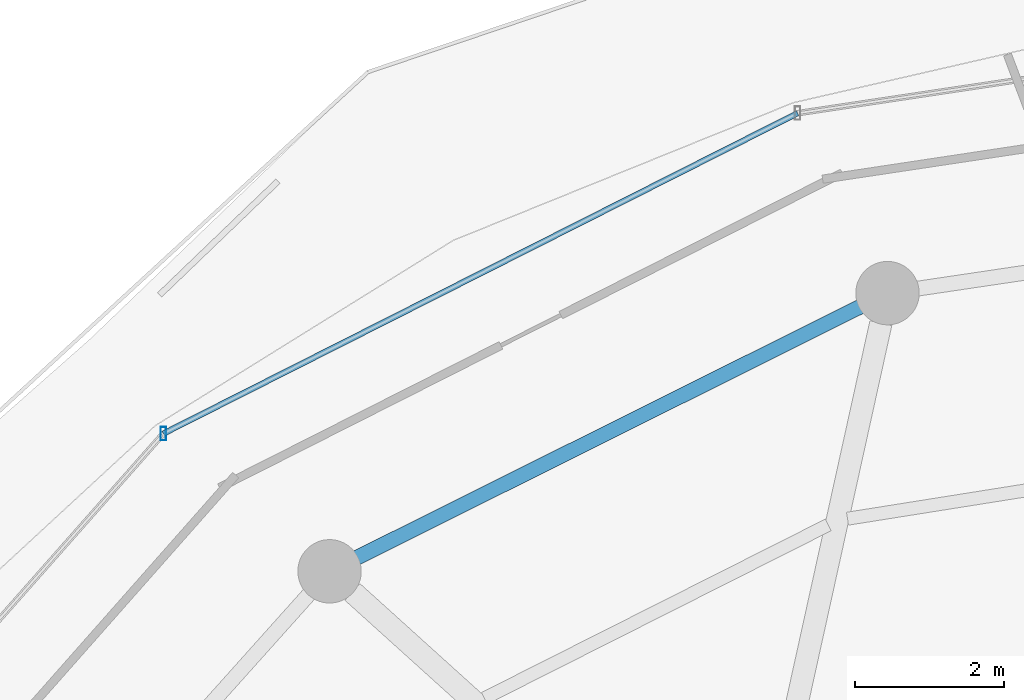
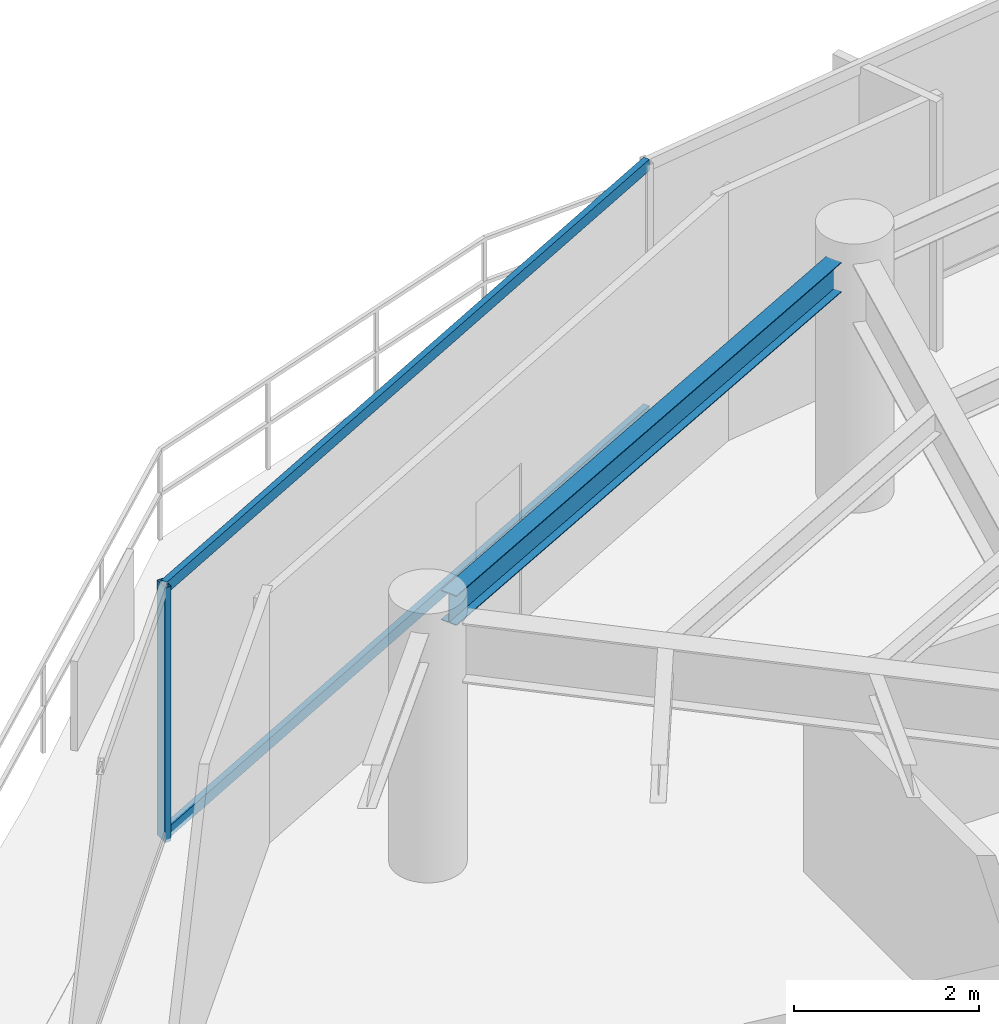
# One storey, part 16 of 30: 3 members, 1 beam, 1 element without a shape of its own.
"""IFC4 building model written with IfcOpenShell, lengths in metres."""

from ifc_helpers import new_model, si_unit, direction, frame, origin, origin_2d, place, context, subcontext, project, spatial, hollow_rectangle, i_section, extrude, material, material_profile, profile_set, type_object, element, aggregate, save


model = new_model("IFC4")

# Units and contexts
model_context = context("Model", 3, precision=1e-05, world=origin(), true_north=direction((0.0, 1.0)))
body_context = subcontext(model_context, "Body", "Model", "MODEL_VIEW")
ifc_project = project(units=[si_unit("LENGTHUNIT", "METRE"), si_unit("AREAUNIT", "SQUARE_METRE"), si_unit("VOLUMEUNIT", "CUBIC_METRE"), si_unit("PLANEANGLEUNIT", "RADIAN"), si_unit("MASSUNIT", "GRAM", prefix="KILO")], contexts=[model_context])

# Site, building, storey
site_placement = place(None, origin())
site = spatial("IfcSite", under=ifc_project, at=site_placement, CompositionType="ELEMENT")
building_placement = place(site_placement, origin())
building = spatial("IfcBuilding", under=site, at=building_placement, Name="Vorneva Point Tower", CompositionType="ELEMENT")
storey_placement = place(building_placement, frame((0.0, 0.0, 237.800048828125)))
storey = spatial("IfcBuildingStorey", under=building, at=storey_placement, Name="L64", CompositionType="ELEMENT", Elevation=237.800048828125)

# Beam
ifc_material_1 = material(Name="Steel S355", Category="steel")
ifc_material_profile_1 = material_profile(ifc_material_1, i_section(OverallWidth=0.198974609375, OverallDepth=0.39599609375, WebThickness=0.007080078125, FlangeThickness=0.010986328125, at=origin_2d()), Name="40B1")
ifc_profile_set_1 = profile_set([ifc_material_profile_1], Name="Steel S355")
beam_type = type_object("IfcBeamType", Name="BM-SPN-40B1", PredefinedType="SPANDREL", material=ifc_profile_set_1)
beam_placement = place(storey_placement, frame((28.812255859375, 41.707763671875, 3.092041015625), z_axis=(-0.894932011528, -0.446202526599, 0.0), x_axis=(0.446202526599, -0.894932011528, 0.0)))
element("IfcBeam", 1, at=beam_placement, inside=storey, type_object=beam_type, Name="L64 Perimeter Spandrel Ring Beam 06", PredefinedType="SPANDREL", context=body_context, shape_type="SweptSolid", body=[
    extrude(i_section(OverallWidth=0.198974609375, OverallDepth=0.39599609375, WebThickness=0.007080078125, FlangeThickness=0.010986328125, at=origin_2d()), origin(), (0.0, 0.0, 1.0), 7.535888671875),
])

# Curtain wall, members
ifc_material_2 = material(Name="Pale anodised aluminium", Category="aluminium")
curtain_wall_type = type_object("IfcCurtainWallType", Name="CW-RES-SYS", PredefinedType="NOTDEFINED", material=ifc_material_2)
curtain_wall_placement = place(storey_placement, origin())
curtain_wall = element("IfcCurtainWall", 2, at=curtain_wall_placement, inside=storey, type_object=curtain_wall_type, Name="L64 Unitised Curtain Wall CW-L64-R02", PredefinedType="NOTDEFINED")
ifc_material_profile_2 = material_profile(ifc_material_2, hollow_rectangle(XDim=0.074951171875, YDim=0.179931640625, WallThickness=0.00390625, at=origin_2d()), Name="AL-MUL 180x75x4")
ifc_profile_set_2 = profile_set([ifc_material_profile_2], Name="Pale anodised aluminium")
member_type_1 = type_object("IfcMemberType", Name="CW-MUL-180", PredefinedType="MULLION", material=ifc_profile_set_2)
member_1_placement = place(storey_placement, frame((19.473876953125, 40.0078125, -0.0400390625), z_axis=(0.0, 0.0, 1.0), x_axis=(1.0, 0.0, 0.0)))
member_1 = element("IfcMember", 3, at=member_1_placement, type_object=member_type_1, Name="CW-L64-R02 Mullion 05", PredefinedType="MULLION", context=body_context, shape_type="SweptSolid", body=[
    extrude(hollow_rectangle(XDim=0.074951171875, YDim=0.179931640625, WallThickness=0.00390625, at=origin_2d()), origin(), (0.0, 0.0, 1.0), 3.360107421875),
])
ifc_material_profile_3 = material_profile(ifc_material_2, hollow_rectangle(XDim=0.074951171875, YDim=0.14990234375, WallThickness=0.00390625, at=origin_2d()), Name="AL-TRN 150x75x4")
ifc_profile_set_3 = profile_set([ifc_material_profile_3], Name="Pale anodised aluminium")
member_type_2 = type_object("IfcMemberType", Name="CW-TRN-150", PredefinedType="USERDEFINED", material=ifc_profile_set_3)
member_2_placement = place(storey_placement, frame((27.9736328125, 44.302001953125, 0.02001953125), z_axis=(-0.892558185815, -0.450932239848, 0.0), x_axis=(0.450932239848, -0.892558185815, 0.0)))
member_2 = element("IfcMember", 4, at=member_2_placement, type_object=member_type_2, Name="CW-L64-R02 Transom 04.1", ObjectType="TRANSOM", PredefinedType="USERDEFINED", context=body_context, shape_type="SweptSolid", body=[
    extrude(hollow_rectangle(XDim=0.074951171875, YDim=0.14990234375, WallThickness=0.00390625, at=origin_2d()), origin(), (0.0, 0.0, 1.0), 9.52294921875),
])
member_3_placement = place(storey_placement, frame((27.9736328125, 44.302001953125, 3.27001953125), z_axis=(-0.892558185815, -0.450932239848, 0.0), x_axis=(0.450932239848, -0.892558185815, 0.0)))
member_3 = element("IfcMember", 5, at=member_3_placement, type_object=member_type_2, Name="CW-L64-R02 Transom 04.2", ObjectType="TRANSOM", PredefinedType="USERDEFINED", context=body_context, shape_type="SweptSolid", body=[
    extrude(hollow_rectangle(XDim=0.074951171875, YDim=0.14990234375, WallThickness=0.00390625, at=origin_2d()), origin(), (0.0, 0.0, 1.0), 9.52294921875),
])
aggregate(curtain_wall, [member_1, member_2, member_3])

save(model, "model.ifc")
